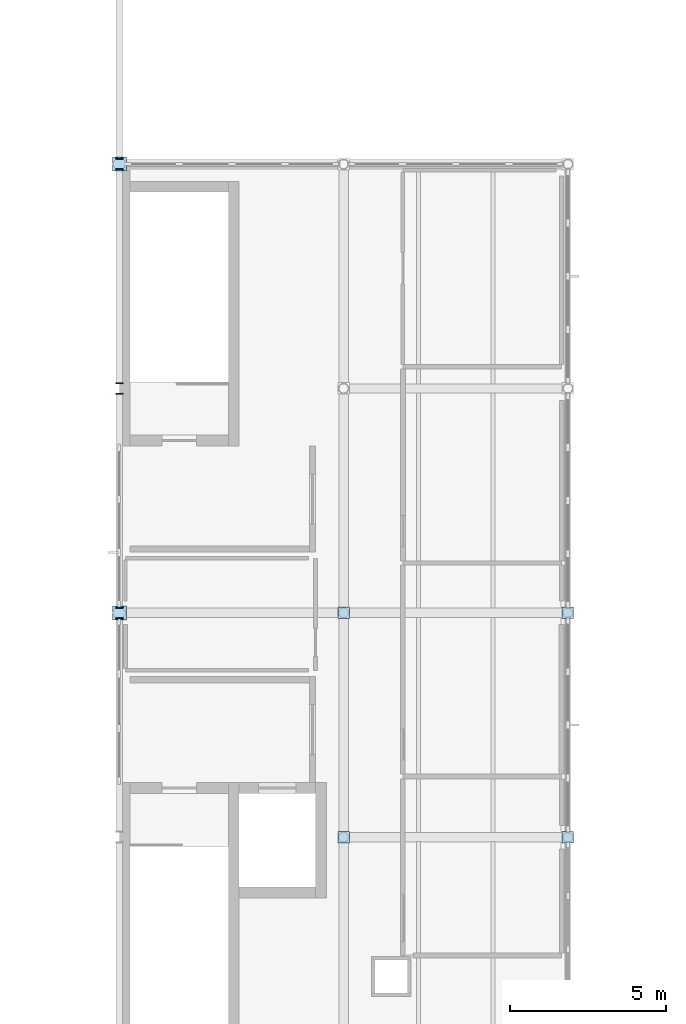
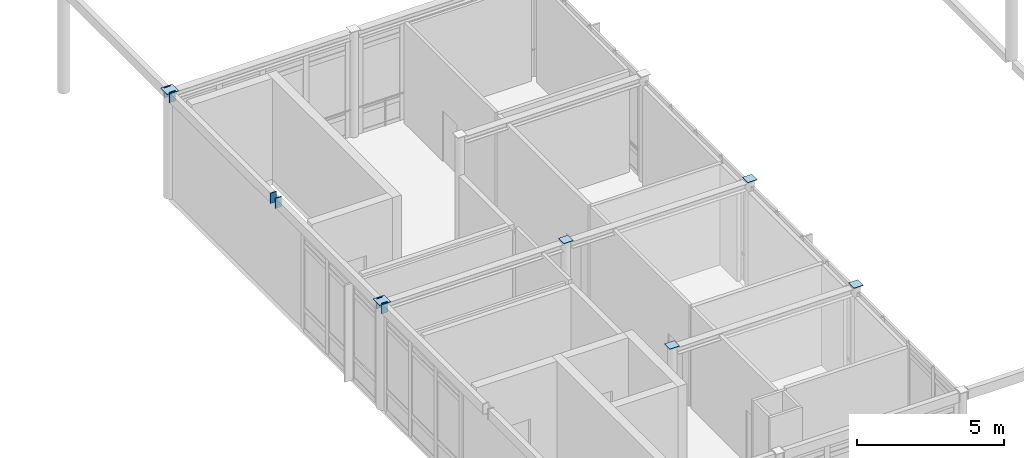
# One storey, part 46 of 72: 12 plates.
"""IFC4 building model written with IfcOpenShell, lengths in metres."""

from ifc_helpers import new_model, si_unit, direction, frame, origin, origin_2d, place, context, subcontext, project, spatial, rectangle, extrude, material, layer, layer_set, type_object, element, save


model = new_model("IFC4")

# Units and contexts
model_context = context("Model", 3, precision=1e-05, world=origin(), true_north=direction((0.0, 1.0)))
body_context = subcontext(model_context, "Body", "Model", "MODEL_VIEW")
ifc_project = project(units=[si_unit("LENGTHUNIT", "METRE"), si_unit("AREAUNIT", "SQUARE_METRE"), si_unit("VOLUMEUNIT", "CUBIC_METRE"), si_unit("PLANEANGLEUNIT", "RADIAN"), si_unit("MASSUNIT", "GRAM", prefix="KILO")], contexts=[model_context])

# Site, building, storey
site_placement = place(None, origin())
site = spatial("IfcSite", under=ifc_project, at=site_placement, CompositionType="ELEMENT")
building_placement = place(site_placement, origin())
building = spatial("IfcBuilding", under=site, at=building_placement, Name="Zarrinpeak Specialist Clinic", CompositionType="ELEMENT")
storey_placement = place(building_placement, frame((0.0, 0.0, 9.60009765625)))
storey = spatial("IfcBuildingStorey", under=building, at=storey_placement, Name="L02", CompositionType="ELEMENT", Elevation=9.60009765625)

# Plates
ifc_material = material(Name="Steel S355", Category="steel")
ifc_layer_1 = layer(ifc_material, 0.031982421875)
ifc_layer_set_1 = layer_set([ifc_layer_1], Name="Steel S355")
plate_type_1 = type_object("IfcPlateType", Name="PL-BP450", PredefinedType="SHEET", material=ifc_layer_set_1)
for number, where, z_axis, x_axis, name in (
    (1, (93.60009765625, 43.031982421875, 4.0), (0.0, 0.0, 1.0), (1.0, 0.0, 0.0), "V3 Ring Beam Sealed End-Cap Plate RBCAP-20"),
    (2, (93.60009765625, 43.367919921875, 4.0), (0.0, 0.0, 1.0), (1.0, 0.0, 0.0), "V3 Ring Beam Sealed End-Cap Plate RBCAP-21"),
    (3, (93.60009765625, 50.23193359375, 4.0), (0.0, 0.0, 1.0), (1.0, 0.0, 0.0), "V3 Ring Beam Sealed End-Cap Plate RBCAP-22"),
    (4, (93.60009765625, 50.568115234375, 4.0), (0.0, 0.0, 1.0), (1.0, 0.0, 0.0), "V3 Ring Beam Sealed End-Cap Plate RBCAP-23"),
    (5, (93.60009765625, 57.431884765625, 4.0), (0.0, 0.0, 1.0), (1.0, 0.0, 0.0), "V3 Ring Beam Sealed End-Cap Plate RBCAP-24"),
    (6, (93.60009765625, 57.76806640625, 4.0), (0.0, 0.0, 1.0), (1.0, 0.0, 0.0), "V3 Ring Beam Sealed End-Cap Plate RBCAP-25"),
):
    element("IfcPlate", number, at=place(storey_placement, frame(where, z_axis=z_axis, x_axis=x_axis)), inside=storey, type_object=plate_type_1, Name=name, PredefinedType="SHEET", context=body_context, shape_type="SweptSolid", body=[
        extrude(rectangle(XDim=0.239990234375, YDim=0.031982421875, at=origin_2d()), origin(), (0.0, 0.0, 1.0), 0.419921875),
    ])
ifc_layer_2 = layer(ifc_material, 0.02001953125)
ifc_layer_set_2 = layer_set([ifc_layer_2], Name="Steel S355")
plate_type_2 = type_object("IfcPlateType", Name="PL-CAP324", PredefinedType="SHEET", material=ifc_layer_set_2)
for number, where, z_axis, x_axis, name in (
    (7, (100.800048828125, 36.0, 4.39599609375), (0.0, 0.0, 1.0), (1.0, 0.0, 0.0), "L02 Hollow Column Top Cap Plate CCAP-T-103"),
    (8, (100.800048828125, 43.199951171875, 4.39599609375), (0.0, 0.0, 1.0), (1.0, 0.0, 0.0), "L02 Hollow Column Top Cap Plate CCAP-T-104"),
    (9, (108.0, 36.0, 4.39599609375), (0.0, 0.0, 1.0), (1.0, 0.0, 0.0), "L02 Hollow Column Top Cap Plate CCAP-T-109"),
    (10, (108.0, 43.199951171875, 4.39599609375), (0.0, 0.0, 1.0), (1.0, 0.0, 0.0), "L02 Hollow Column Top Cap Plate CCAP-T-110"),
):
    element("IfcPlate", number, at=place(storey_placement, frame(where, z_axis=z_axis, x_axis=x_axis)), inside=storey, type_object=plate_type_2, Name=name, PredefinedType="SHEET", context=body_context, shape_type="SweptSolid", body=[
        extrude(rectangle(XDim=0.3701171875, YDim=0.3701171875, at=origin_2d()), origin(), (0.0, 0.0, 1.0), 0.02001953125),
    ])
ifc_layer_3 = layer(ifc_material, 0.02197265625)
ifc_layer_set_3 = layer_set([ifc_layer_3], Name="Steel S355")
plate_type_3 = type_object("IfcPlateType", Name="PL-CAP406", PredefinedType="SHEET", material=ifc_layer_set_3)
for number, where, z_axis, x_axis, name in (
    (11, (93.60009765625, 43.199951171875, 4.39599609375), (0.0, 0.0, 1.0), (1.0, 0.0, 0.0), "L02 Hollow Column Top Cap Plate CCAP-T-098"),
    (12, (93.60009765625, 57.60009765625, 4.39599609375), (0.0, 0.0, 1.0), (1.0, 0.0, 0.0), "L02 Hollow Column Top Cap Plate CCAP-T-099"),
):
    element("IfcPlate", number, at=place(storey_placement, frame(where, z_axis=z_axis, x_axis=x_axis)), inside=storey, type_object=plate_type_3, Name=name, PredefinedType="SHEET", context=body_context, shape_type="SweptSolid", body=[
        extrude(rectangle(XDim=0.449951171875, YDim=0.449951171875, at=origin_2d()), origin(), (0.0, 0.0, 1.0), 0.02197265625),
    ])

save(model, "model.ifc")
